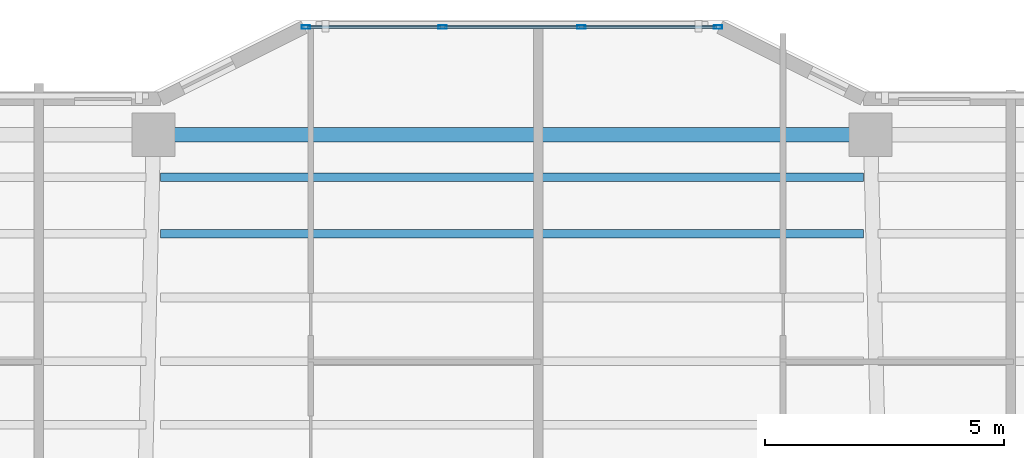
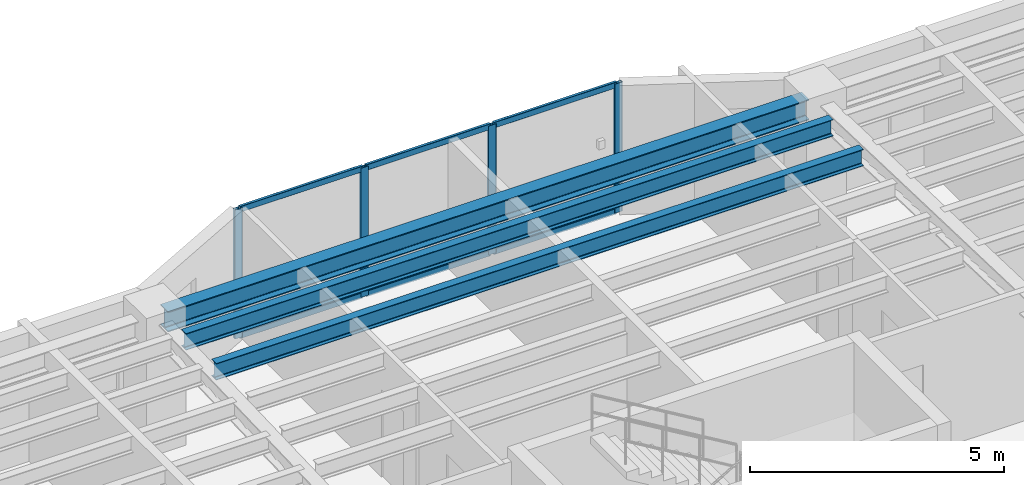
# One storey, part 4 of 16: 10 members, 3 beams, 1 element without a shape of its own.
"""IFC4 building model written with IfcOpenShell, lengths in metres."""

from ifc_helpers import new_model, si_unit, direction, frame, origin, origin_2d, place, context, subcontext, project, spatial, hollow_rectangle, i_section, extrude, material, layer, layer_set, material_profile, profile_set, type_object, element, aggregate, save


model = new_model("IFC4")

# Units and contexts
model_context = context("Model", 3, precision=1e-05, world=origin(), true_north=direction((0.0, 1.0)))
body_context = subcontext(model_context, "Body", "Model", "MODEL_VIEW")
ifc_project = project(units=[si_unit("LENGTHUNIT", "METRE"), si_unit("AREAUNIT", "SQUARE_METRE"), si_unit("VOLUMEUNIT", "CUBIC_METRE"), si_unit("PLANEANGLEUNIT", "RADIAN"), si_unit("MASSUNIT", "GRAM", prefix="KILO")], contexts=[model_context])

# Site, building, storey
site_placement = place(None, origin())
site = spatial("IfcSite", under=ifc_project, at=site_placement, CompositionType="ELEMENT")
building_placement = place(site_placement, origin())
building = spatial("IfcBuilding", under=site, at=building_placement, Name="Tarnavaz Court Tower", CompositionType="ELEMENT")
storey_placement = place(building_placement, frame((0.0, 0.0, 166.10009765625)))
storey = spatial("IfcBuildingStorey", under=building, at=storey_placement, Name="L45", CompositionType="ELEMENT", Elevation=166.10009765625)

# Beams
ifc_material_1 = material(Name="Steel S355", Category="steel")
ifc_material_profile_1 = material_profile(ifc_material_1, i_section(OverallWidth=0.179931640625, OverallDepth=0.39990234375, WebThickness=0.008544921875, FlangeThickness=0.013427734375, FilletRadius=0.02099609375, at=origin_2d()), Name="IPE 400")
ifc_profile_set_1 = profile_set([ifc_material_profile_1], Name="Steel S355")
beam_type_1 = type_object("IfcBeamType", Name="BM-J-IPE400", PredefinedType="JOIST", material=ifc_profile_set_1)
for number, where, z_axis, x_axis, name in (
    (1, (-7.35009765625, 18.327880859375, 2.89990234375), (1.0, 0.0, 0.0), (0.0, 1.0, 0.0), "L45 Beam JN4-2"),
    (2, (-7.35009765625, 19.511962890625, 2.89990234375), (1.0, 0.0, 0.0), (0.0, 1.0, 0.0), "L45 Beam JN5-2"),
):
    element("IfcBeam", number, at=place(storey_placement, frame(where, z_axis=z_axis, x_axis=x_axis)), inside=storey, type_object=beam_type_1, Name=name, PredefinedType="JOIST", context=body_context, shape_type="SweptSolid", body=[
        extrude(i_section(OverallWidth=0.179931640625, OverallDepth=0.39990234375, WebThickness=0.008544921875, FlangeThickness=0.013427734375, FilletRadius=0.02099609375, at=origin_2d()), origin(), (0.0, 0.0, 1.0), 14.7001953125),
    ])
ifc_material_profile_2 = material_profile(ifc_material_1, i_section(OverallWidth=0.300048828125, OverallDepth=0.489990234375, WebThickness=0.011962890625, FlangeThickness=0.02294921875, FilletRadius=0.027099609375, at=origin_2d()), Name="HEA 500")
ifc_profile_set_2 = profile_set([ifc_material_profile_2], Name="Steel S355")
beam_type_2 = type_object("IfcBeamType", Name="BM-SP-HEA500", PredefinedType="SPANDREL", material=ifc_profile_set_2)
beam_placement = place(storey_placement, frame((-7.280029296875, 20.39990234375, 2.85498046875), z_axis=(1.0, 0.0, 0.0), x_axis=(0.0, 1.0, 0.0)))
element("IfcBeam", 3, at=beam_placement, inside=storey, type_object=beam_type_2, Name="L45 Beam PR-PN-2-PN-3", PredefinedType="SPANDREL", context=body_context, shape_type="SweptSolid", body=[
    extrude(i_section(OverallWidth=0.300048828125, OverallDepth=0.489990234375, WebThickness=0.011962890625, FlangeThickness=0.02294921875, FilletRadius=0.027099609375, at=origin_2d()), origin(), (0.0, 0.0, 1.0), 14.56005859375),
])

# Curtain wall, members
ifc_material_2 = material(Name="Anodised Aluminium 6063-T6 and Solar Low-E Glazing", Category="aluminium")
ifc_layer = layer(ifc_material_2, 0.159912109375)
ifc_layer_set = layer_set([ifc_layer], Name="Anodised Aluminium 6063-T6 and Solar Low-E Glazing")
curtain_wall_type = type_object("IfcCurtainWallType", Name="CW-SYS-03", PredefinedType="NOTDEFINED", material=ifc_layer_set)
curtain_wall_placement = place(storey_placement, origin())
curtain_wall = element("IfcCurtainWall", 4, at=curtain_wall_placement, inside=storey, type_object=curtain_wall_type, Name="L45 Iwan Prow Curtain Wall 7", PredefinedType="NOTDEFINED")
ifc_material_3 = material(Name="Anodised Aluminium 6063-T6", Category="aluminium")
ifc_material_profile_3 = material_profile(ifc_material_3, hollow_rectangle(XDim=0.074951171875, YDim=0.179931640625, WallThickness=0.0048828125, InnerFilletRadius=0.0048828125, OuterFilletRadius=0.010009765625, at=origin_2d()), Name="ALU RHS 180X75X5")
ifc_profile_set_3 = profile_set([ifc_material_profile_3], Name="Anodised Aluminium 6063-T6")
member_type_1 = type_object("IfcMemberType", Name="CW-MUL-180", PredefinedType="MULLION", material=ifc_profile_set_3)
member_1_placement = place(storey_placement, frame((-4.3125, 22.64990234375, 0.0), z_axis=(0.0, 0.0, 1.0), x_axis=(0.0, 1.0, 0.0)))
member_1 = element("IfcMember", 5, at=member_1_placement, type_object=member_type_1, Name="CW mullion 1", PredefinedType="MULLION", context=body_context, shape_type="SweptSolid", body=[
    extrude(hollow_rectangle(XDim=0.074951171875, YDim=0.179931640625, WallThickness=0.0048828125, InnerFilletRadius=0.0048828125, OuterFilletRadius=0.010009765625, at=origin_2d()), origin(), (0.0, 0.0, 1.0), 3.099853515625),
])
member_2_placement = place(storey_placement, frame((-1.449951171875, 22.64990234375, 0.0), z_axis=(0.0, 0.0, 1.0), x_axis=(0.0, 1.0, 0.0)))
member_2 = element("IfcMember", 6, at=member_2_placement, type_object=member_type_1, Name="CW mullion 2", PredefinedType="MULLION", context=body_context, shape_type="SweptSolid", body=[
    extrude(hollow_rectangle(XDim=0.074951171875, YDim=0.179931640625, WallThickness=0.0048828125, InnerFilletRadius=0.0048828125, OuterFilletRadius=0.010009765625, at=origin_2d()), origin(), (0.0, 0.0, 1.0), 3.099853515625),
])
member_3_placement = place(storey_placement, frame((1.449951171875, 22.64990234375, 0.0), z_axis=(0.0, 0.0, 1.0), x_axis=(0.0, 1.0, 0.0)))
member_3 = element("IfcMember", 7, at=member_3_placement, type_object=member_type_1, Name="CW mullion 3", PredefinedType="MULLION", context=body_context, shape_type="SweptSolid", body=[
    extrude(hollow_rectangle(XDim=0.074951171875, YDim=0.179931640625, WallThickness=0.0048828125, InnerFilletRadius=0.0048828125, OuterFilletRadius=0.010009765625, at=origin_2d()), origin(), (0.0, 0.0, 1.0), 3.099853515625),
])
member_4_placement = place(storey_placement, frame((4.3125, 22.64990234375, 0.0), z_axis=(0.0, 0.0, 1.0), x_axis=(0.0, 1.0, 0.0)))
member_4 = element("IfcMember", 8, at=member_4_placement, type_object=member_type_1, Name="CW mullion 4", PredefinedType="MULLION", context=body_context, shape_type="SweptSolid", body=[
    extrude(hollow_rectangle(XDim=0.074951171875, YDim=0.179931640625, WallThickness=0.0048828125, InnerFilletRadius=0.0048828125, OuterFilletRadius=0.010009765625, at=origin_2d()), origin(), (0.0, 0.0, 1.0), 3.099853515625),
])
ifc_material_profile_4 = material_profile(ifc_material_3, hollow_rectangle(XDim=0.06494140625, YDim=0.139892578125, WallThickness=0.00390625, InnerFilletRadius=0.00390625, OuterFilletRadius=0.008056640625, at=origin_2d()), Name="ALU RHS 140X65X4")
ifc_profile_set_4 = profile_set([ifc_material_profile_4], Name="Anodised Aluminium 6063-T6")
member_type_2 = type_object("IfcMemberType", Name="CW-TRN-140", PredefinedType="USERDEFINED", material=ifc_profile_set_4)
member_5_placement = place(storey_placement, frame((-4.27490234375, 22.64990234375, 0.032470703125), z_axis=(1.0, 0.0, 0.0), x_axis=(0.0, 1.0, 0.0)))
member_5 = element("IfcMember", 9, at=member_5_placement, type_object=member_type_2, Name="CW transom 1.1", ObjectType="TRANSOM", PredefinedType="USERDEFINED", context=body_context, shape_type="SweptSolid", body=[
    extrude(hollow_rectangle(XDim=0.06494140625, YDim=0.139892578125, WallThickness=0.00390625, InnerFilletRadius=0.00390625, OuterFilletRadius=0.008056640625, at=origin_2d()), origin(), (0.0, 0.0, 1.0), 2.787353515625),
])
member_6_placement = place(storey_placement, frame((-4.27490234375, 22.64990234375, 3.0673828125), z_axis=(1.0, 0.0, 0.0), x_axis=(0.0, 1.0, 0.0)))
member_6 = element("IfcMember", 10, at=member_6_placement, type_object=member_type_2, Name="CW transom 1.2", ObjectType="TRANSOM", PredefinedType="USERDEFINED", context=body_context, shape_type="SweptSolid", body=[
    extrude(hollow_rectangle(XDim=0.06494140625, YDim=0.139892578125, WallThickness=0.00390625, InnerFilletRadius=0.00390625, OuterFilletRadius=0.008056640625, at=origin_2d()), origin(), (0.0, 0.0, 1.0), 2.787353515625),
])
member_7_placement = place(storey_placement, frame((-1.41259765625, 22.64990234375, 0.032470703125), z_axis=(1.0, 0.0, 0.0), x_axis=(0.0, 1.0, 0.0)))
member_7 = element("IfcMember", 11, at=member_7_placement, type_object=member_type_2, Name="CW transom 2.1", ObjectType="TRANSOM", PredefinedType="USERDEFINED", context=body_context, shape_type="SweptSolid", body=[
    extrude(hollow_rectangle(XDim=0.06494140625, YDim=0.139892578125, WallThickness=0.00390625, InnerFilletRadius=0.00390625, OuterFilletRadius=0.008056640625, at=origin_2d()), origin(), (0.0, 0.0, 1.0), 2.8251953125),
])
member_8_placement = place(storey_placement, frame((-1.41259765625, 22.64990234375, 3.0673828125), z_axis=(1.0, 0.0, 0.0), x_axis=(0.0, 1.0, 0.0)))
member_8 = element("IfcMember", 12, at=member_8_placement, type_object=member_type_2, Name="CW transom 2.2", ObjectType="TRANSOM", PredefinedType="USERDEFINED", context=body_context, shape_type="SweptSolid", body=[
    extrude(hollow_rectangle(XDim=0.06494140625, YDim=0.139892578125, WallThickness=0.00390625, InnerFilletRadius=0.00390625, OuterFilletRadius=0.008056640625, at=origin_2d()), origin(), (0.0, 0.0, 1.0), 2.8251953125),
])
member_9_placement = place(storey_placement, frame((1.487548828125, 22.64990234375, 0.032470703125), z_axis=(1.0, 0.0, 0.0), x_axis=(0.0, 1.0, 0.0)))
member_9 = element("IfcMember", 13, at=member_9_placement, type_object=member_type_2, Name="CW transom 3.1", ObjectType="TRANSOM", PredefinedType="USERDEFINED", context=body_context, shape_type="SweptSolid", body=[
    extrude(hollow_rectangle(XDim=0.06494140625, YDim=0.139892578125, WallThickness=0.00390625, InnerFilletRadius=0.00390625, OuterFilletRadius=0.008056640625, at=origin_2d()), origin(), (0.0, 0.0, 1.0), 2.787353515625),
])
member_10_placement = place(storey_placement, frame((1.487548828125, 22.64990234375, 3.0673828125), z_axis=(1.0, 0.0, 0.0), x_axis=(0.0, 1.0, 0.0)))
member_10 = element("IfcMember", 14, at=member_10_placement, type_object=member_type_2, Name="CW transom 3.2", ObjectType="TRANSOM", PredefinedType="USERDEFINED", context=body_context, shape_type="SweptSolid", body=[
    extrude(hollow_rectangle(XDim=0.06494140625, YDim=0.139892578125, WallThickness=0.00390625, InnerFilletRadius=0.00390625, OuterFilletRadius=0.008056640625, at=origin_2d()), origin(), (0.0, 0.0, 1.0), 2.787353515625),
])
aggregate(curtain_wall, [member_1, member_2, member_3, member_4, member_5, member_6, member_7, member_8, member_9, member_10])

save(model, "model.ifc")
